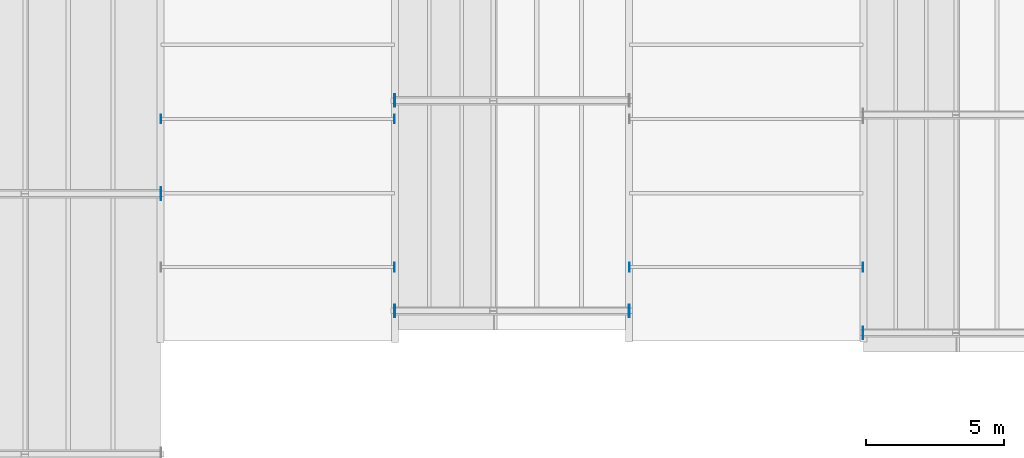
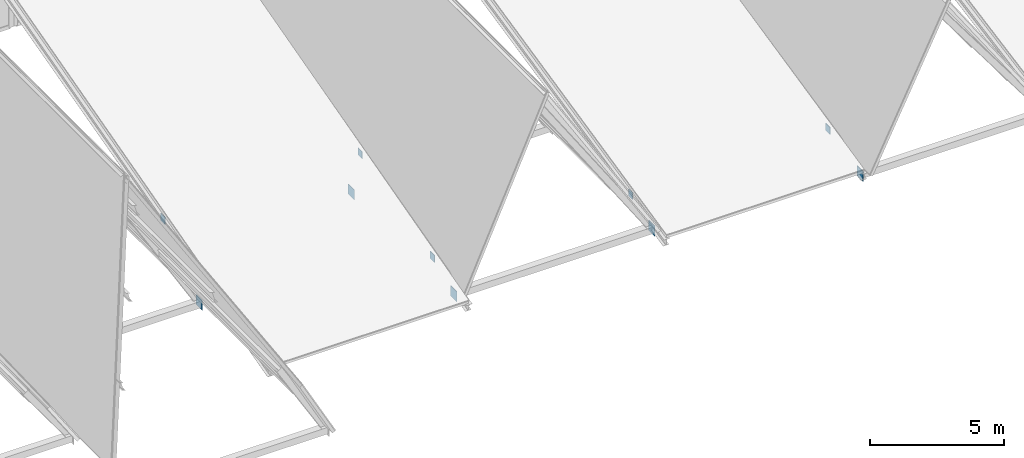
# One storey, part 65 of 77: 10 plates.
"""IFC4 building model written with IfcOpenShell, lengths in metres."""

import ifcopenshell
import ifcopenshell.guid

model = None  # the IFC model being written
_history = None  # IfcOwnerHistory: only IFC2X3 demands one
_inside = {}  # id of a spatial element -> (the spatial element, [elements in it])
_under = {}  # id of a project, library or spatial element -> (it, [spatial elements below it])
_declared = {}  # id of a project -> (the project, [libraries it declares])
_typed = {}  # id of a type object -> (the type object, [elements of that type])
_made_of = {}  # id of a material, layer set ... -> (it, [elements and type objects made of it])


def new_model(schema):
    """Start an empty IFC model of exactly this schema.

    Asked for "IFC4X3", IfcOpenShell would pick the latest addendum, in which some entities
    have other attributes; the version numbers below select the first issue.
    IFC2X3 requires an IfcOwnerHistory on every rooted entity: one is made here for all.
    """
    global model, _history
    if schema == "IFC4X3":
        model = ifcopenshell.file(schema_version=(4, 3, 0, 0))
    else:
        model = ifcopenshell.file(schema=schema)
    _inside.clear()
    _under.clear()
    _declared.clear()
    _typed.clear()
    _made_of.clear()
    _history = None
    if model.schema == "IFC2X3":
        org = make("IfcOrganization", Name="unknown")
        user = make(
            "IfcPersonAndOrganization",
            ThePerson=make("IfcPerson", FamilyName="unknown"),
            TheOrganization=org,
        )
        app = make(
            "IfcApplication",
            ApplicationDeveloper=org,
            Version="unknown",
            ApplicationFullName="unknown",
            ApplicationIdentifier="unknown",
        )
        _history = make(
            "IfcOwnerHistory",
            OwningUser=user,
            OwningApplication=app,
            ChangeAction="ADDED",
            CreationDate=0,
        )
    return model


def make(cls, **values):
    """One entity of the class cls with the attributes given. An attribute that is None is left unset."""
    return model.create_entity(
        cls, **{name: value for name, value in values.items() if value is not None}
    )


def rooted(cls, **values):
    """An entity with a GlobalId (a new one), such as an element, a storey or a relation."""
    return make(cls, GlobalId=ifcopenshell.guid.new(), OwnerHistory=_history, **values)


def si_unit(unit_type, name, prefix=None):
    """IfcSIUnit, for example si_unit("LENGTHUNIT", "METRE", prefix="MILLI")."""
    return make("IfcSIUnit", UnitType=unit_type, Prefix=prefix, Name=name)


def assignment(units):
    """IfcUnitAssignment: the units of a project."""
    return None if units is None else make("IfcUnitAssignment", Units=units)


def point(xyz):
    """IfcCartesianPoint."""
    return None if xyz is None else make("IfcCartesianPoint", Coordinates=xyz)


def direction(xyz):
    """IfcDirection."""
    return None if xyz is None else make("IfcDirection", DirectionRatios=xyz)


def frame(location, z_axis=None, x_axis=None):
    """IfcAxis2Placement3D, a coordinate frame: its origin and axes. An axis left out is left unset."""
    return make(
        "IfcAxis2Placement3D",
        Location=point(location),
        Axis=direction(z_axis),
        RefDirection=direction(x_axis),
    )


def frame_2d(location, x_axis=None):
    """IfcAxis2Placement2D, a coordinate frame in the plane: its origin and x axis."""
    return make(
        "IfcAxis2Placement2D", Location=point(location), RefDirection=direction(x_axis)
    )


def origin():
    """The frame at (0, 0, 0) with its axes left unset."""
    return frame((0.0, 0.0, 0.0))


def origin_2d():
    """The frame at (0, 0) in the plane with its x axis left unset."""
    return frame_2d((0.0, 0.0))


def place(relative_to, where):
    """IfcLocalPlacement: puts the frame where relative to a parent placement (None: the world)."""
    return make(
        "IfcLocalPlacement", PlacementRelTo=relative_to, RelativePlacement=where
    )


def context(
    kind, dimensions, precision=None, world=None, true_north=None, identifier=None
):
    """IfcGeometricRepresentationContext, for example the 3D "Model" context."""
    return make(
        "IfcGeometricRepresentationContext",
        ContextIdentifier=identifier,
        ContextType=kind,
        CoordinateSpaceDimension=dimensions,
        Precision=precision,
        WorldCoordinateSystem=world,
        TrueNorth=true_north,
    )


def subcontext(parent, identifier, kind, view, scale=None):
    """IfcGeometricRepresentationSubContext, for example "Body" below "Model"."""
    return make(
        "IfcGeometricRepresentationSubContext",
        ContextIdentifier=identifier,
        ContextType=kind,
        ParentContext=parent,
        TargetScale=scale,
        TargetView=view,
    )


def project(units=None, contexts=None):
    """IfcProject with its units and contexts."""
    return rooted(
        "IfcProject",
        Name="project",
        RepresentationContexts=contexts,
        UnitsInContext=assignment(units),
    )


def spatial(cls, under=None, at=None, **own):
    """A site, building, storey or space (cls), placed at a placement, below another one or the project."""
    s = rooted(cls, ObjectPlacement=at, **own)
    if under is not None:
        _under.setdefault(under.id(), (under, []))[1].append(s)
    return s


def profile(cls, at=None, kind="AREA", **sizes):
    """A parametric profile (cls). Its sizes go by their IFC names, for example OverallWidth=200.0."""
    return make(cls, ProfileType=kind, Position=at, **sizes)


def rectangle(**sizes):
    """IfcRectangleProfileDef."""
    return profile("IfcRectangleProfileDef", **sizes)


def extrude(swept, where, along, depth):
    """IfcExtrudedAreaSolid: the profile swept, set in the frame where, extruded along a direction by depth."""
    return make(
        "IfcExtrudedAreaSolid",
        SweptArea=swept,
        Position=where,
        ExtrudedDirection=direction(along),
        Depth=depth,
    )


def shape(context_of_items, identifier, shape_type, items):
    """IfcShapeRepresentation: the items that make up one representation, for example the "Body"."""
    return make(
        "IfcShapeRepresentation",
        ContextOfItems=context_of_items,
        RepresentationIdentifier=identifier,
        RepresentationType=shape_type,
        Items=items,
    )


def material(Name=None, Category=None):
    """IfcMaterial."""
    return make("IfcMaterial", Name=Name, Category=Category)


def material_profile(
    of_material, cross_section, Name=None, Category=None, Priority=None
):
    """IfcMaterialProfile: a cross section and its material."""
    return make(
        "IfcMaterialProfile",
        Name=Name,
        Material=of_material,
        Profile=cross_section,
        Priority=Priority,
        Category=Category,
    )


def profile_set(profiles, Name=None, composite=None):
    """IfcMaterialProfileSet."""
    return make(
        "IfcMaterialProfileSet",
        Name=Name,
        MaterialProfiles=profiles,
        CompositeProfile=composite,
    )


def made_of(thing, what):
    """Note that an element or type object is made of a material, layer set ...; save() writes the relation."""
    if what is not None:
        _made_of.setdefault(what.id(), (what, []))[1].append(thing)
    return thing


def type_object(cls, material=None, **own):
    """A type object (cls), such as IfcWallType, which elements share."""
    return made_of(rooted(cls, **own), material)


def element(
    cls,
    number,
    at=None,
    inside=None,
    cuts=None,
    type_object=None,
    material=None,
    context=None,
    identifier="Body",
    shape_type=None,
    held_by="IfcProductDefinitionShape",
    body=None,
    shapes=None,
    **own,
):
    """One element of the class cls, such as IfcWall. Its Tag is "e" and its number.

    at: its placement. inside: the storey or other place that contains it. cuts: it is an
    opening in that element (IfcRelVoidsElement). A single representation is given by context,
    identifier, shape_type and body (its items); several are given by shapes. held_by: the class
    of the entity that holds the representations. save() writes the other relations.
    """
    e = rooted(cls, Tag="e%d" % number, ObjectPlacement=at, **own)
    if body is not None:
        shapes = [shape(context, identifier, shape_type, body)]
    if shapes is not None:
        e.Representation = make(held_by, Representations=shapes)
    if inside is not None:
        _inside.setdefault(inside.id(), (inside, []))[1].append(e)
    if cuts is not None:
        rooted(
            "IfcRelVoidsElement", RelatingBuildingElement=cuts, RelatedOpeningElement=e
        )
    if type_object is not None:
        _typed.setdefault(type_object.id(), (type_object, []))[1].append(e)
    return made_of(e, material)


def aggregate(whole, parts):
    """IfcRelAggregates: a whole, such as a stair, and the parts it consists of."""
    return rooted("IfcRelAggregates", RelatingObject=whole, RelatedObjects=parts)


def save(model, path):
    """Write the relations noted so far, then the file.

    IfcRelAggregates (storeys below a building ...), IfcRelContainedInSpatialStructure (elements
    in a storey), IfcRelDefinesByType, IfcRelAssociatesMaterial and IfcRelDeclares: one each for
    every whole, place, type object, material and project.
    """
    for whole, parts in _under.values():
        aggregate(whole, parts)
    for where, things in _inside.values():
        rooted(
            "IfcRelContainedInSpatialStructure",
            RelatedElements=things,
            RelatingStructure=where,
        )
    for kind, things in _typed.values():
        rooted("IfcRelDefinesByType", RelatedObjects=things, RelatingType=kind)
    for what, things in _made_of.values():
        rooted("IfcRelAssociatesMaterial", RelatedObjects=things, RelatingMaterial=what)
    for by, libraries in _declared.values():
        rooted("IfcRelDeclares", RelatingContext=by, RelatedDefinitions=libraries)
    model.write(path)


model = new_model("IFC4")

# Units and contexts
model_context = context("Model", 3, precision=1e-05, world=origin(), true_north=direction((0.0, 1.0)))
body_context = subcontext(model_context, "Body", "Model", "MODEL_VIEW")
ifc_project = project(units=[si_unit("LENGTHUNIT", "METRE"), si_unit("AREAUNIT", "SQUARE_METRE"), si_unit("VOLUMEUNIT", "CUBIC_METRE"), si_unit("PLANEANGLEUNIT", "RADIAN"), si_unit("MASSUNIT", "GRAM", prefix="KILO"), si_unit("THERMODYNAMICTEMPERATUREUNIT", "KELVIN"), si_unit("POWERUNIT", "WATT")], contexts=[model_context])

# Site, building, storey
site_placement = place(None, origin())
site = spatial("IfcSite", under=ifc_project, at=site_placement, CompositionType="ELEMENT")
building_placement = place(site_placement, origin())
building = spatial("IfcBuilding", under=site, at=building_placement, Name="Zhenchuan Central Fire Station", CompositionType="ELEMENT")
storey_placement = place(building_placement, frame((0.0, 0.0, 10.050048828125)))
storey = spatial("IfcBuildingStorey", under=building, at=storey_placement, Name="L03", CompositionType="ELEMENT", Elevation=10.050048828125)

# Plates
ifc_material = material(Name="Steel Q355B", Category="steel")
ifc_material_profile_1 = material_profile(ifc_material, rectangle(XDim=0.320068359375, YDim=0.320068359375, at=origin_2d()), Name="PL 320x320x20")
ifc_profile_set_1 = profile_set([ifc_material_profile_1], Name="Steel Q355B")
plate_type_1 = type_object("IfcPlateType", Name="PL-CAP20", PredefinedType="SHEET", material=ifc_profile_set_1)
for number, where, z_axis, x_axis, name in (
    (1, (106.98095703125, 13.989013671875, 0.388671875), (1.0, 0.0, 0.0), (0.0, 1.0, 0.0), "Pavilion H06 Roof Purlin 1 end cap plate B"),
    (2, (98.4990234375, 19.36669921875, 1.826416015625), (1.0, 0.0, 0.0), (0.0, 1.0, 0.0), "Pavilion H06 Roof Purlin 3 end cap plate A"),
    (3, (106.98095703125, 19.36669921875, 1.826416015625), (1.0, 0.0, 0.0), (0.0, 1.0, 0.0), "Pavilion H06 Roof Purlin 3 end cap plate B"),
    (4, (115.4990234375, 13.989013671875, 0.25634765625), (1.0, 0.0, 0.0), (0.0, 1.0, 0.0), "Pavilion H08 Roof Purlin 1 end cap plate A"),
    (5, (123.98095703125, 13.989013671875, 0.25634765625), (1.0, 0.0, 0.0), (0.0, 1.0, 0.0), "Pavilion H08 Roof Purlin 1 end cap plate B"),
):
    element("IfcPlate", number, at=place(storey_placement, frame(where, z_axis=z_axis, x_axis=x_axis)), inside=storey, type_object=plate_type_1, Name=name, PredefinedType="SHEET", context=body_context, shape_type="SweptSolid", body=[
        extrude(rectangle(XDim=0.320068359375, YDim=0.320068359375, at=origin_2d()), origin(), (0.0, 0.0, 1.0), 0.02001953125),
    ])
ifc_material_profile_2 = material_profile(ifc_material, rectangle(XDim=0.4599609375, YDim=0.4599609375, at=origin_2d()), Name="PL 460x460x28")
ifc_profile_set_2 = profile_set([ifc_material_profile_2], Name="Steel Q355B")
plate_type_2 = type_object("IfcPlateType", Name="PL-GUS28-INT", PredefinedType="SHEET", material=ifc_profile_set_2)
for number, where, z_axis, x_axis, name in (
    (6, (98.49609375, 16.64990234375, -0.330078125), (1.0, 0.0, 0.0), (0.0, 1.0, 0.0), "Pavilion H05 Gable Bottom Chord 2 end cap plate B"),
    (7, (106.98388671875, 12.39990234375, -0.330078125), (1.0, 0.0, 0.0), (0.0, 1.0, 0.0), "Pavilion H07 Gable Bottom Chord 1 end cap plate A"),
    (8, (115.49609375, 12.39990234375, -0.330078125), (1.0, 0.0, 0.0), (0.0, 1.0, 0.0), "Pavilion H07 Gable Bottom Chord 1 end cap plate B"),
    (9, (106.98388671875, 20.030029296875, -0.330078125), (1.0, 0.0, 0.0), (0.0, 1.0, 0.0), "Pavilion H07 Gable Bottom Chord 2 end cap plate A"),
    (10, (123.98388671875, 11.60009765625, -0.330078125), (1.0, 0.0, 0.0), (0.0, 1.0, 0.0), "Pavilion H09 Gable Bottom Chord 1 end cap plate A"),
):
    element("IfcPlate", number, at=place(storey_placement, frame(where, z_axis=z_axis, x_axis=x_axis)), inside=storey, type_object=plate_type_2, Name=name, PredefinedType="SHEET", context=body_context, shape_type="SweptSolid", body=[
        extrude(rectangle(XDim=0.4599609375, YDim=0.4599609375, at=origin_2d()), origin(), (0.0, 0.0, 1.0), 0.02001953125),
    ])

save(model, "model.ifc")
